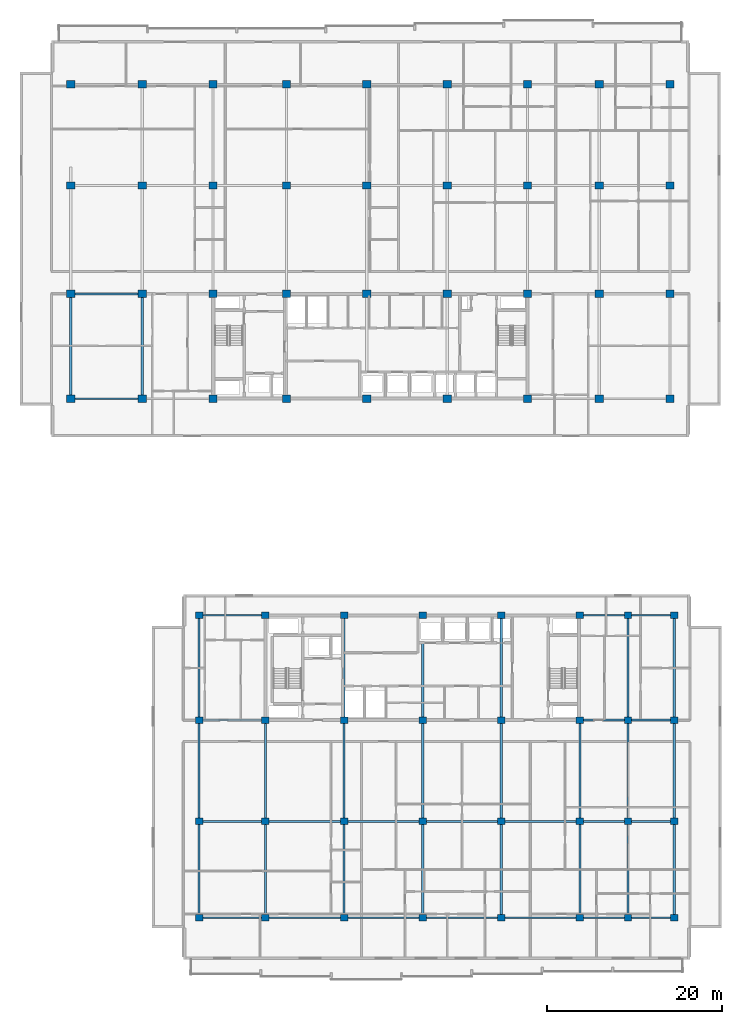
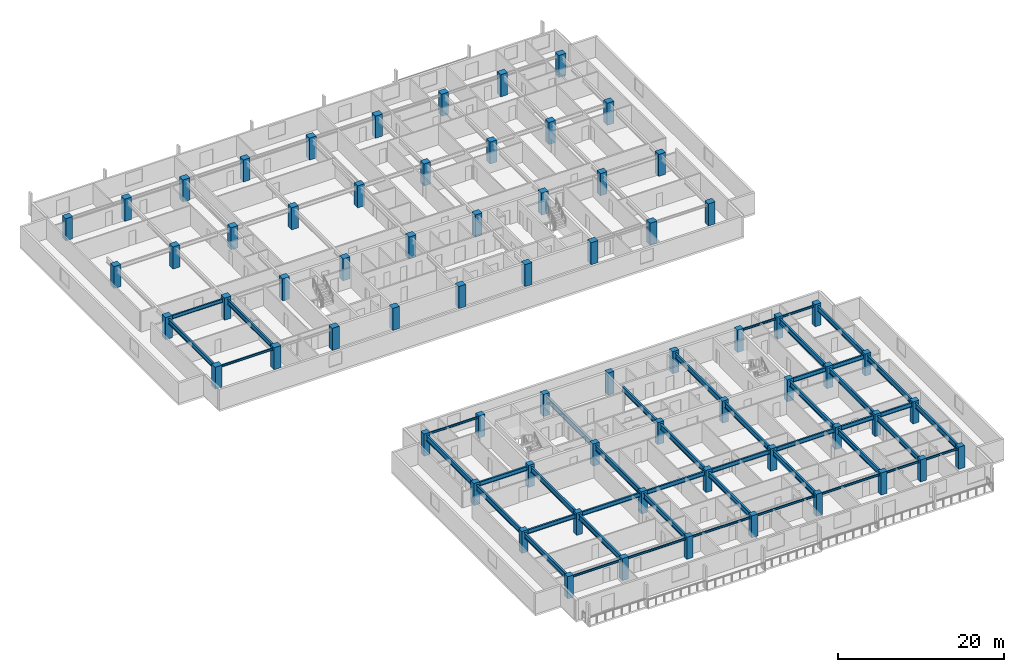
# One storey, part 1 of 21: 68 columns, 46 beams.
"""IFC4 building model written with IfcOpenShell, lengths in metres."""

from ifc_helpers import new_model, si_unit, direction, frame, origin, origin_2d, place, context, subcontext, project, spatial, rectangle, i_section, extrude, material, material_profile, profile_set, type_object, element, save


model = new_model("IFC4")

# Units and contexts
model_context = context("Model", 3, precision=1e-05, world=origin(), true_north=direction((0.0, 1.0)))
body_context = subcontext(model_context, "Body", "Model", "MODEL_VIEW")
ifc_project = project(units=[si_unit("LENGTHUNIT", "METRE"), si_unit("AREAUNIT", "SQUARE_METRE"), si_unit("VOLUMEUNIT", "CUBIC_METRE"), si_unit("PLANEANGLEUNIT", "RADIAN"), si_unit("MASSUNIT", "GRAM", prefix="KILO")], contexts=[model_context])

# Site, building, storey
site_placement = place(None, origin())
site = spatial("IfcSite", under=ifc_project, at=site_placement, CompositionType="ELEMENT")
building_placement = place(site_placement, origin())
building = spatial("IfcBuilding", under=site, at=building_placement, Name="Korimba Cascade Residences", CompositionType="ELEMENT")
storey_placement = place(building_placement, frame((0.0, 0.0, 119.800048828125)))
storey = spatial("IfcBuildingStorey", under=building, at=storey_placement, Name="L34", CompositionType="ELEMENT", Elevation=119.800048828125)

# Columns
ifc_material_1 = material(Name="Concrete C65/80", Category="concrete")
ifc_material_profile_1 = material_profile(ifc_material_1, rectangle(XDim=0.85009765625, YDim=0.75, at=origin_2d()), Name="Concrete C65/80")
ifc_profile_set_1 = profile_set([ifc_material_profile_1], Name="Concrete C65/80")
column_type_1 = type_object("IfcColumnType", Name="COL-RC-850", PredefinedType="COLUMN", material=ifc_profile_set_1)
for number, where, z_axis, x_axis, name in (
    (1, (74.5, -4.199951171875, 0.0), (0.0, 0.0, 1.0), (1.0, 0.0, 0.0), "L34 Tower 2 Column 1.1"),
    (2, (74.5, 6.800048828125, 0.0), (0.0, 0.0, 1.0), (1.0, 0.0, 0.0), "L34 Tower 2 Column 1.2"),
    (3, (74.5, 18.39990234375, 0.0), (0.0, 0.0, 1.0), (1.0, 0.0, 0.0), "L34 Tower 2 Column 1.3"),
    (4, (74.5, 30.39990234375, 0.0), (0.0, 0.0, 1.0), (1.0, 0.0, 0.0), "L34 Tower 2 Column 1.4"),
    (5, (82.10009765625, -4.199951171875, 0.0), (0.0, 0.0, 1.0), (1.0, 0.0, 0.0), "L34 Tower 2 Column 2.1"),
    (6, (82.10009765625, 6.800048828125, 0.0), (0.0, 0.0, 1.0), (1.0, 0.0, 0.0), "L34 Tower 2 Column 2.2"),
    (7, (82.10009765625, 18.39990234375, 0.0), (0.0, 0.0, 1.0), (1.0, 0.0, 0.0), "L34 Tower 2 Column 2.3"),
    (8, (82.10009765625, 30.39990234375, 0.0), (0.0, 0.0, 1.0), (1.0, 0.0, 0.0), "L34 Tower 2 Column 2.4"),
    (9, (91.10009765625, -4.199951171875, 0.0), (0.0, 0.0, 1.0), (1.0, 0.0, 0.0), "L34 Tower 2 Column 3.1"),
    (10, (91.10009765625, 6.800048828125, 0.0), (0.0, 0.0, 1.0), (1.0, 0.0, 0.0), "L34 Tower 2 Column 3.2"),
    (11, (91.10009765625, 18.39990234375, 0.0), (0.0, 0.0, 1.0), (1.0, 0.0, 0.0), "L34 Tower 2 Column 3.3"),
    (12, (91.10009765625, 30.39990234375, 0.0), (0.0, 0.0, 1.0), (1.0, 0.0, 0.0), "L34 Tower 2 Column 3.4"),
    (13, (100.10009765625, -4.199951171875, 0.0), (0.0, 0.0, 1.0), (1.0, 0.0, 0.0), "L34 Tower 2 Column 4.1"),
    (14, (100.10009765625, 6.800048828125, 0.0), (0.0, 0.0, 1.0), (1.0, 0.0, 0.0), "L34 Tower 2 Column 4.2"),
    (15, (100.10009765625, 18.39990234375, 0.0), (0.0, 0.0, 1.0), (1.0, 0.0, 0.0), "L34 Tower 2 Column 4.3"),
    (16, (100.10009765625, 30.39990234375, 0.0), (0.0, 0.0, 1.0), (1.0, 0.0, 0.0), "L34 Tower 2 Column 4.4"),
    (17, (109.10009765625, -4.199951171875, 0.0), (0.0, 0.0, 1.0), (1.0, 0.0, 0.0), "L34 Tower 2 Column 5.1"),
    (18, (109.10009765625, 6.800048828125, 0.0), (0.0, 0.0, 1.0), (1.0, 0.0, 0.0), "L34 Tower 2 Column 5.2"),
    (19, (109.10009765625, 18.39990234375, 0.0), (0.0, 0.0, 1.0), (1.0, 0.0, 0.0), "L34 Tower 2 Column 5.3"),
    (20, (109.10009765625, 30.39990234375, 0.0), (0.0, 0.0, 1.0), (1.0, 0.0, 0.0), "L34 Tower 2 Column 5.4"),
    (21, (118.10009765625, -4.199951171875, 0.0), (0.0, 0.0, 1.0), (1.0, 0.0, 0.0), "L34 Tower 2 Column 6.1"),
    (22, (118.10009765625, 6.800048828125, 0.0), (0.0, 0.0, 1.0), (1.0, 0.0, 0.0), "L34 Tower 2 Column 6.2"),
    (23, (118.10009765625, 18.39990234375, 0.0), (0.0, 0.0, 1.0), (1.0, 0.0, 0.0), "L34 Tower 2 Column 6.3"),
    (24, (118.10009765625, 30.39990234375, 0.0), (0.0, 0.0, 1.0), (1.0, 0.0, 0.0), "L34 Tower 2 Column 6.4"),
    (25, (123.60009765625, -4.199951171875, 0.0), (0.0, 0.0, 1.0), (1.0, 0.0, 0.0), "L34 Tower 2 Column 7.1"),
    (26, (123.60009765625, 6.800048828125, 0.0), (0.0, 0.0, 1.0), (1.0, 0.0, 0.0), "L34 Tower 2 Column 7.2"),
    (27, (123.60009765625, 18.39990234375, 0.0), (0.0, 0.0, 1.0), (1.0, 0.0, 0.0), "L34 Tower 2 Column 7.3"),
    (28, (123.60009765625, 30.39990234375, 0.0), (0.0, 0.0, 1.0), (1.0, 0.0, 0.0), "L34 Tower 2 Column 7.4"),
    (29, (128.89990234375, -4.199951171875, 0.0), (0.0, 0.0, 1.0), (1.0, 0.0, 0.0), "L34 Tower 2 Column 8.1"),
    (30, (128.89990234375, 6.800048828125, 0.0), (0.0, 0.0, 1.0), (1.0, 0.0, 0.0), "L34 Tower 2 Column 8.2"),
    (31, (128.89990234375, 18.39990234375, 0.0), (0.0, 0.0, 1.0), (1.0, 0.0, 0.0), "L34 Tower 2 Column 8.3"),
    (32, (128.89990234375, 30.39990234375, 0.0), (0.0, 0.0, 1.0), (1.0, 0.0, 0.0), "L34 Tower 2 Column 8.4"),
):
    element("IfcColumn", number, at=place(storey_placement, frame(where, z_axis=z_axis, x_axis=x_axis)), inside=storey, type_object=column_type_1, Name=name, PredefinedType="COLUMN", context=body_context, shape_type="SweptSolid", body=[
        extrude(rectangle(XDim=0.85009765625, YDim=0.75, at=origin_2d()), origin(), (0.0, 0.0, 1.0), 3.25),
    ])
ifc_material_profile_2 = material_profile(ifc_material_1, rectangle(XDim=0.949951171875, YDim=0.85009765625, at=origin_2d()), Name="Concrete C65/80")
ifc_profile_set_2 = profile_set([ifc_material_profile_2], Name="Concrete C65/80")
column_type_2 = type_object("IfcColumnType", Name="COL-RC-950", PredefinedType="COLUMN", material=ifc_profile_set_2)
for number, where, z_axis, x_axis, name in (
    (33, (59.800048828125, 55.199951171875, 0.0), (0.0, 0.0, 1.0), (1.0, 0.0, 0.0), "L34 Tower 1 Column 1.1"),
    (34, (59.800048828125, 67.199951171875, 0.0), (0.0, 0.0, 1.0), (1.0, 0.0, 0.0), "L34 Tower 1 Column 1.2"),
    (35, (59.800048828125, 79.60009765625, 0.0), (0.0, 0.0, 1.0), (1.0, 0.0, 0.0), "L34 Tower 1 Column 1.3"),
    (36, (59.800048828125, 91.199951171875, 0.0), (0.0, 0.0, 1.0), (1.0, 0.0, 0.0), "L34 Tower 1 Column 1.4"),
    (37, (68.0, 55.199951171875, 0.0), (0.0, 0.0, 1.0), (1.0, 0.0, 0.0), "L34 Tower 1 Column 2.1"),
    (38, (68.0, 67.199951171875, 0.0), (0.0, 0.0, 1.0), (1.0, 0.0, 0.0), "L34 Tower 1 Column 2.2"),
    (39, (68.0, 79.60009765625, 0.0), (0.0, 0.0, 1.0), (1.0, 0.0, 0.0), "L34 Tower 1 Column 2.3"),
    (40, (68.0, 91.199951171875, 0.0), (0.0, 0.0, 1.0), (1.0, 0.0, 0.0), "L34 Tower 1 Column 2.4"),
    (41, (76.10009765625, 55.199951171875, 0.0), (0.0, 0.0, 1.0), (1.0, 0.0, 0.0), "L34 Tower 1 Column 3.1"),
    (42, (76.10009765625, 67.199951171875, 0.0), (0.0, 0.0, 1.0), (1.0, 0.0, 0.0), "L34 Tower 1 Column 3.2"),
    (43, (76.10009765625, 79.60009765625, 0.0), (0.0, 0.0, 1.0), (1.0, 0.0, 0.0), "L34 Tower 1 Column 3.3"),
    (44, (76.10009765625, 91.199951171875, 0.0), (0.0, 0.0, 1.0), (1.0, 0.0, 0.0), "L34 Tower 1 Column 3.4"),
    (45, (84.5, 55.199951171875, 0.0), (0.0, 0.0, 1.0), (1.0, 0.0, 0.0), "L34 Tower 1 Column 4.1"),
    (46, (84.5, 67.199951171875, 0.0), (0.0, 0.0, 1.0), (1.0, 0.0, 0.0), "L34 Tower 1 Column 4.2"),
    (47, (84.5, 79.60009765625, 0.0), (0.0, 0.0, 1.0), (1.0, 0.0, 0.0), "L34 Tower 1 Column 4.3"),
    (48, (84.5, 91.199951171875, 0.0), (0.0, 0.0, 1.0), (1.0, 0.0, 0.0), "L34 Tower 1 Column 4.4"),
    (49, (93.699951171875, 55.199951171875, 0.0), (0.0, 0.0, 1.0), (1.0, 0.0, 0.0), "L34 Tower 1 Column 5.1"),
    (50, (93.699951171875, 67.199951171875, 0.0), (0.0, 0.0, 1.0), (1.0, 0.0, 0.0), "L34 Tower 1 Column 5.2"),
    (51, (93.699951171875, 79.60009765625, 0.0), (0.0, 0.0, 1.0), (1.0, 0.0, 0.0), "L34 Tower 1 Column 5.3"),
    (52, (93.699951171875, 91.199951171875, 0.0), (0.0, 0.0, 1.0), (1.0, 0.0, 0.0), "L34 Tower 1 Column 5.4"),
    (53, (102.89990234375, 55.199951171875, 0.0), (0.0, 0.0, 1.0), (1.0, 0.0, 0.0), "L34 Tower 1 Column 6.1"),
    (54, (102.89990234375, 67.199951171875, 0.0), (0.0, 0.0, 1.0), (1.0, 0.0, 0.0), "L34 Tower 1 Column 6.2"),
    (55, (102.89990234375, 79.60009765625, 0.0), (0.0, 0.0, 1.0), (1.0, 0.0, 0.0), "L34 Tower 1 Column 6.3"),
    (56, (102.89990234375, 91.199951171875, 0.0), (0.0, 0.0, 1.0), (1.0, 0.0, 0.0), "L34 Tower 1 Column 6.4"),
    (57, (112.10009765625, 55.199951171875, 0.0), (0.0, 0.0, 1.0), (1.0, 0.0, 0.0), "L34 Tower 1 Column 7.1"),
    (58, (112.10009765625, 67.199951171875, 0.0), (0.0, 0.0, 1.0), (1.0, 0.0, 0.0), "L34 Tower 1 Column 7.2"),
    (59, (112.10009765625, 79.60009765625, 0.0), (0.0, 0.0, 1.0), (1.0, 0.0, 0.0), "L34 Tower 1 Column 7.3"),
    (60, (112.10009765625, 91.199951171875, 0.0), (0.0, 0.0, 1.0), (1.0, 0.0, 0.0), "L34 Tower 1 Column 7.4"),
    (61, (120.300048828125, 55.199951171875, 0.0), (0.0, 0.0, 1.0), (1.0, 0.0, 0.0), "L34 Tower 1 Column 8.1"),
    (62, (120.300048828125, 67.199951171875, 0.0), (0.0, 0.0, 1.0), (1.0, 0.0, 0.0), "L34 Tower 1 Column 8.2"),
    (63, (120.300048828125, 79.60009765625, 0.0), (0.0, 0.0, 1.0), (1.0, 0.0, 0.0), "L34 Tower 1 Column 8.3"),
    (64, (120.300048828125, 91.199951171875, 0.0), (0.0, 0.0, 1.0), (1.0, 0.0, 0.0), "L34 Tower 1 Column 8.4"),
    (65, (128.39990234375, 55.199951171875, 0.0), (0.0, 0.0, 1.0), (1.0, 0.0, 0.0), "L34 Tower 1 Column 9.1"),
    (66, (128.39990234375, 67.199951171875, 0.0), (0.0, 0.0, 1.0), (1.0, 0.0, 0.0), "L34 Tower 1 Column 9.2"),
    (67, (128.39990234375, 79.60009765625, 0.0), (0.0, 0.0, 1.0), (1.0, 0.0, 0.0), "L34 Tower 1 Column 9.3"),
    (68, (128.39990234375, 91.199951171875, 0.0), (0.0, 0.0, 1.0), (1.0, 0.0, 0.0), "L34 Tower 1 Column 9.4"),
):
    element("IfcColumn", number, at=place(storey_placement, frame(where, z_axis=z_axis, x_axis=x_axis)), inside=storey, type_object=column_type_2, Name=name, PredefinedType="COLUMN", context=body_context, shape_type="SweptSolid", body=[
        extrude(rectangle(XDim=0.949951171875, YDim=0.85009765625, at=origin_2d()), origin(), (0.0, 0.0, 1.0), 3.25),
    ])

# Beams
ifc_material_2 = material(Name="Steel S355", Category="steel")
ifc_material_profile_3 = material_profile(ifc_material_2, i_section(OverallWidth=0.165771484375, OverallDepth=0.306640625, WebThickness=0.006591796875, FlangeThickness=0.01171875, FilletRadius=0.0087890625, at=origin_2d()), Name="Steel S355")
ifc_profile_set_3 = profile_set([ifc_material_profile_3], Name="Steel S355")
beam_type_1 = type_object("IfcBeamType", Name="BM-STL-UB305", PredefinedType="SPANDREL", material=ifc_profile_set_3)
beam_1_placement = place(storey_placement, frame((60.27490234375, 55.199951171875, 2.816650390625), z_axis=(1.0, 0.0, 0.0), x_axis=(0.0, 1.0, 0.0)))
element("IfcBeam", 69, at=beam_1_placement, inside=storey, type_object=beam_type_1, Name="L34 T1 E-W Girder Y1 Bay 1", PredefinedType="SPANDREL", context=body_context, shape_type="SweptSolid", body=[
    extrude(i_section(OverallWidth=0.165771484375, OverallDepth=0.306640625, WebThickness=0.006591796875, FlangeThickness=0.01171875, FilletRadius=0.0087890625, at=origin_2d()), origin(), (0.0, 0.0, 1.0), 7.25),
])
beam_2_placement = place(storey_placement, frame((74.925048828125, -4.199951171875, 2.816650390625), z_axis=(1.0, 0.0, 0.0), x_axis=(0.0, 1.0, 0.0)))
element("IfcBeam", 70, at=beam_2_placement, inside=storey, type_object=beam_type_1, Name="L34 T2 E-W Girder Y1 Bay 1", PredefinedType="SPANDREL", context=body_context, shape_type="SweptSolid", body=[
    extrude(i_section(OverallWidth=0.165771484375, OverallDepth=0.306640625, WebThickness=0.006591796875, FlangeThickness=0.01171875, FilletRadius=0.0087890625, at=origin_2d()), origin(), (0.0, 0.0, 1.0), 6.75),
])
for number, where, z_axis, x_axis, name in (
    (71, (82.52490234375, -4.199951171875, 2.816650390625), (1.0, 0.0, 0.0), (0.0, 1.0, 0.0), "L34 T2 E-W Girder Y1 Bay 2"),
    (72, (91.52490234375, -4.199951171875, 2.816650390625), (1.0, 0.0, 0.0), (0.0, 1.0, 0.0), "L34 T2 E-W Girder Y1 Bay 3"),
    (73, (100.52490234375, -4.199951171875, 2.816650390625), (1.0, 0.0, 0.0), (0.0, 1.0, 0.0), "L34 T2 E-W Girder Y1 Bay 4"),
    (74, (109.52490234375, -4.199951171875, 2.816650390625), (1.0, 0.0, 0.0), (0.0, 1.0, 0.0), "L34 T2 E-W Girder Y1 Bay 5"),
):
    element("IfcBeam", number, at=place(storey_placement, frame(where, z_axis=z_axis, x_axis=x_axis)), inside=storey, type_object=beam_type_1, Name=name, PredefinedType="SPANDREL", context=body_context, shape_type="SweptSolid", body=[
        extrude(i_section(OverallWidth=0.165771484375, OverallDepth=0.306640625, WebThickness=0.006591796875, FlangeThickness=0.01171875, FilletRadius=0.0087890625, at=origin_2d()), origin(), (0.0, 0.0, 1.0), 8.150146484375),
    ])
beam_3_placement = place(storey_placement, frame((118.52490234375, -4.199951171875, 2.816650390625), z_axis=(1.0, 0.0, 0.0), x_axis=(0.0, 1.0, 0.0)))
element("IfcBeam", 75, at=beam_3_placement, inside=storey, type_object=beam_type_1, Name="L34 T2 E-W Girder Y1 Bay 6", PredefinedType="SPANDREL", context=body_context, shape_type="SweptSolid", body=[
    extrude(i_section(OverallWidth=0.165771484375, OverallDepth=0.306640625, WebThickness=0.006591796875, FlangeThickness=0.01171875, FilletRadius=0.0087890625, at=origin_2d()), origin(), (0.0, 0.0, 1.0), 4.650146484375),
])
beam_4_placement = place(storey_placement, frame((124.02490234375, -4.199951171875, 2.816650390625), z_axis=(1.0, 0.0, 0.0), x_axis=(0.0, 1.0, 0.0)))
element("IfcBeam", 76, at=beam_4_placement, inside=storey, type_object=beam_type_1, Name="L34 T2 E-W Girder Y1 Bay 7", PredefinedType="SPANDREL", context=body_context, shape_type="SweptSolid", body=[
    extrude(i_section(OverallWidth=0.165771484375, OverallDepth=0.306640625, WebThickness=0.006591796875, FlangeThickness=0.01171875, FilletRadius=0.0087890625, at=origin_2d()), origin(), (0.0, 0.0, 1.0), 4.4501953125),
])
beam_5_placement = place(storey_placement, frame((74.925048828125, 30.39990234375, 2.816650390625), z_axis=(1.0, 0.0, 0.0), x_axis=(0.0, 1.0, 0.0)))
element("IfcBeam", 77, at=beam_5_placement, inside=storey, type_object=beam_type_1, Name="L34 T2 E-W Girder Y4 Bay 1", PredefinedType="SPANDREL", context=body_context, shape_type="SweptSolid", body=[
    extrude(i_section(OverallWidth=0.165771484375, OverallDepth=0.306640625, WebThickness=0.006591796875, FlangeThickness=0.01171875, FilletRadius=0.0087890625, at=origin_2d()), origin(), (0.0, 0.0, 1.0), 6.75),
])
beam_6_placement = place(storey_placement, frame((118.52490234375, 30.39990234375, 2.816650390625), z_axis=(1.0, 0.0, 0.0), x_axis=(0.0, 1.0, 0.0)))
element("IfcBeam", 78, at=beam_6_placement, inside=storey, type_object=beam_type_1, Name="L34 T2 E-W Girder Y4 Bay 6", PredefinedType="SPANDREL", context=body_context, shape_type="SweptSolid", body=[
    extrude(i_section(OverallWidth=0.165771484375, OverallDepth=0.306640625, WebThickness=0.006591796875, FlangeThickness=0.01171875, FilletRadius=0.0087890625, at=origin_2d()), origin(), (0.0, 0.0, 1.0), 4.650146484375),
])
beam_7_placement = place(storey_placement, frame((124.02490234375, 30.39990234375, 2.816650390625), z_axis=(1.0, 0.0, 0.0), x_axis=(0.0, 1.0, 0.0)))
element("IfcBeam", 79, at=beam_7_placement, inside=storey, type_object=beam_type_1, Name="L34 T2 E-W Girder Y4 Bay 7", PredefinedType="SPANDREL", context=body_context, shape_type="SweptSolid", body=[
    extrude(i_section(OverallWidth=0.165771484375, OverallDepth=0.306640625, WebThickness=0.006591796875, FlangeThickness=0.01171875, FilletRadius=0.0087890625, at=origin_2d()), origin(), (0.0, 0.0, 1.0), 4.4501953125),
])
ifc_material_profile_4 = material_profile(ifc_material_2, i_section(OverallWidth=0.2099609375, OverallDepth=0.53662109375, WebThickness=0.0107421875, FlangeThickness=0.017333984375, FilletRadius=0.0126953125, at=origin_2d()), Name="Steel S355")
ifc_profile_set_4 = profile_set([ifc_material_profile_4], Name="Steel S355")
beam_type_2 = type_object("IfcBeamType", Name="BM-STL-UB533", PredefinedType="BEAM", material=ifc_profile_set_4)
beam_8_placement = place(storey_placement, frame((60.27490234375, 67.199951171875, 2.70166015625), z_axis=(1.0, 0.0, 0.0), x_axis=(0.0, 1.0, 0.0)))
element("IfcBeam", 80, at=beam_8_placement, inside=storey, type_object=beam_type_2, Name="L34 T1 E-W Girder Y2 Bay 1", PredefinedType="BEAM", context=body_context, shape_type="SweptSolid", body=[
    extrude(i_section(OverallWidth=0.2099609375, OverallDepth=0.53662109375, WebThickness=0.0107421875, FlangeThickness=0.017333984375, FilletRadius=0.0126953125, at=origin_2d()), origin(), (0.0, 0.0, 1.0), 7.25),
])
ifc_material_profile_5 = material_profile(ifc_material_2, i_section(OverallWidth=0.22900390625, OverallDepth=0.6123046875, WebThickness=0.011962890625, FlangeThickness=0.01953125, FilletRadius=0.0126953125, at=origin_2d()), Name="Steel S355")
ifc_profile_set_5 = profile_set([ifc_material_profile_5], Name="Steel S355")
beam_type_3 = type_object("IfcBeamType", Name="BM-STL-UB610B", PredefinedType="BEAM", material=ifc_profile_set_5)
beam_9_placement = place(storey_placement, frame((74.925048828125, 6.800048828125, 2.663818359375), z_axis=(1.0, 0.0, 0.0), x_axis=(0.0, 1.0, 0.0)))
element("IfcBeam", 81, at=beam_9_placement, inside=storey, type_object=beam_type_3, Name="L34 T2 E-W Girder Y2 Bay 1", PredefinedType="BEAM", context=body_context, shape_type="SweptSolid", body=[
    extrude(i_section(OverallWidth=0.22900390625, OverallDepth=0.6123046875, WebThickness=0.011962890625, FlangeThickness=0.01953125, FilletRadius=0.0126953125, at=origin_2d()), origin(), (0.0, 0.0, 1.0), 6.75),
])
for number, where, z_axis, x_axis, name in (
    (82, (82.52490234375, 6.800048828125, 2.663818359375), (1.0, 0.0, 0.0), (0.0, 1.0, 0.0), "L34 T2 E-W Girder Y2 Bay 2"),
    (83, (91.52490234375, 6.800048828125, 2.663818359375), (1.0, 0.0, 0.0), (0.0, 1.0, 0.0), "L34 T2 E-W Girder Y2 Bay 3"),
    (84, (100.52490234375, 6.800048828125, 2.663818359375), (1.0, 0.0, 0.0), (0.0, 1.0, 0.0), "L34 T2 E-W Girder Y2 Bay 4"),
    (85, (109.52490234375, 6.800048828125, 2.663818359375), (1.0, 0.0, 0.0), (0.0, 1.0, 0.0), "L34 T2 E-W Girder Y2 Bay 5"),
):
    element("IfcBeam", number, at=place(storey_placement, frame(where, z_axis=z_axis, x_axis=x_axis)), inside=storey, type_object=beam_type_3, Name=name, PredefinedType="BEAM", context=body_context, shape_type="SweptSolid", body=[
        extrude(i_section(OverallWidth=0.22900390625, OverallDepth=0.6123046875, WebThickness=0.011962890625, FlangeThickness=0.01953125, FilletRadius=0.0126953125, at=origin_2d()), origin(), (0.0, 0.0, 1.0), 8.150146484375),
    ])
beam_10_placement = place(storey_placement, frame((118.52490234375, 6.800048828125, 2.663818359375), z_axis=(1.0, 0.0, 0.0), x_axis=(0.0, 1.0, 0.0)))
element("IfcBeam", 86, at=beam_10_placement, inside=storey, type_object=beam_type_3, Name="L34 T2 E-W Girder Y2 Bay 6", PredefinedType="BEAM", context=body_context, shape_type="SweptSolid", body=[
    extrude(i_section(OverallWidth=0.22900390625, OverallDepth=0.6123046875, WebThickness=0.011962890625, FlangeThickness=0.01953125, FilletRadius=0.0126953125, at=origin_2d()), origin(), (0.0, 0.0, 1.0), 4.650146484375),
])
beam_11_placement = place(storey_placement, frame((124.02490234375, 6.800048828125, 2.663818359375), z_axis=(1.0, 0.0, 0.0), x_axis=(0.0, 1.0, 0.0)))
element("IfcBeam", 87, at=beam_11_placement, inside=storey, type_object=beam_type_3, Name="L34 T2 E-W Girder Y2 Bay 7", PredefinedType="BEAM", context=body_context, shape_type="SweptSolid", body=[
    extrude(i_section(OverallWidth=0.22900390625, OverallDepth=0.6123046875, WebThickness=0.011962890625, FlangeThickness=0.01953125, FilletRadius=0.0126953125, at=origin_2d()), origin(), (0.0, 0.0, 1.0), 4.4501953125),
])
beam_12_placement = place(storey_placement, frame((74.925048828125, 18.39990234375, 2.663818359375), z_axis=(1.0, 0.0, 0.0), x_axis=(0.0, 1.0, 0.0)))
element("IfcBeam", 88, at=beam_12_placement, inside=storey, type_object=beam_type_3, Name="L34 T2 E-W Girder Y3 Bay 1", PredefinedType="BEAM", context=body_context, shape_type="SweptSolid", body=[
    extrude(i_section(OverallWidth=0.22900390625, OverallDepth=0.6123046875, WebThickness=0.011962890625, FlangeThickness=0.01953125, FilletRadius=0.0126953125, at=origin_2d()), origin(), (0.0, 0.0, 1.0), 6.75),
])
beam_13_placement = place(storey_placement, frame((118.52490234375, 18.39990234375, 2.663818359375), z_axis=(1.0, 0.0, 0.0), x_axis=(0.0, 1.0, 0.0)))
element("IfcBeam", 89, at=beam_13_placement, inside=storey, type_object=beam_type_3, Name="L34 T2 E-W Girder Y3 Bay 6", PredefinedType="BEAM", context=body_context, shape_type="SweptSolid", body=[
    extrude(i_section(OverallWidth=0.22900390625, OverallDepth=0.6123046875, WebThickness=0.011962890625, FlangeThickness=0.01953125, FilletRadius=0.0126953125, at=origin_2d()), origin(), (0.0, 0.0, 1.0), 4.650146484375),
])
beam_14_placement = place(storey_placement, frame((124.02490234375, 18.39990234375, 2.663818359375), z_axis=(1.0, 0.0, 0.0), x_axis=(0.0, 1.0, 0.0)))
element("IfcBeam", 90, at=beam_14_placement, inside=storey, type_object=beam_type_3, Name="L34 T2 E-W Girder Y3 Bay 7", PredefinedType="BEAM", context=body_context, shape_type="SweptSolid", body=[
    extrude(i_section(OverallWidth=0.22900390625, OverallDepth=0.6123046875, WebThickness=0.011962890625, FlangeThickness=0.01953125, FilletRadius=0.0126953125, at=origin_2d()), origin(), (0.0, 0.0, 1.0), 4.4501953125),
])
ifc_material_profile_6 = material_profile(ifc_material_2, i_section(OverallWidth=0.255859375, OverallDepth=0.69287109375, WebThickness=0.014404296875, FlangeThickness=0.023681640625, FilletRadius=0.01513671875, at=origin_2d()), Name="Steel S355")
ifc_profile_set_6 = profile_set([ifc_material_profile_6], Name="Steel S355")
beam_type_4 = type_object("IfcBeamType", Name="BM-STL-UB686", PredefinedType="BEAM", material=ifc_profile_set_6)
for number, where, z_axis, x_axis, name in (
    (91, (59.800048828125, 55.625, 2.62353515625), (0.0, 1.0, 0.0), (-1.0, 0.0, 0.0), "L34 T1 N-S Girder X1 Seg 1"),
    (92, (68.0, 55.625, 2.62353515625), (0.0, 1.0, 0.0), (-1.0, 0.0, 0.0), "L34 T1 N-S Girder X2 Seg 1"),
):
    element("IfcBeam", number, at=place(storey_placement, frame(where, z_axis=z_axis, x_axis=x_axis)), inside=storey, type_object=beam_type_4, Name=name, PredefinedType="BEAM", context=body_context, shape_type="SweptSolid", body=[
        extrude(i_section(OverallWidth=0.255859375, OverallDepth=0.69287109375, WebThickness=0.014404296875, FlangeThickness=0.023681640625, FilletRadius=0.01513671875, at=origin_2d()), origin(), (0.0, 0.0, 1.0), 11.14990234375),
    ])
ifc_material_profile_7 = material_profile(ifc_material_2, i_section(OverallWidth=0.26806640625, OverallDepth=0.769775390625, WebThickness=0.015625, FlangeThickness=0.025390625, FilletRadius=0.0166015625, at=origin_2d()), Name="Steel S355")
ifc_profile_set_7 = profile_set([ifc_material_profile_7], Name="Steel S355")
beam_type_5 = type_object("IfcBeamType", Name="BM-STL-UB762", PredefinedType="BEAM", material=ifc_profile_set_7)
beam_15_placement = place(storey_placement, frame((74.5, -3.824951171875, 2.5849609375), z_axis=(0.0, 1.0, 0.0), x_axis=(-1.0, 0.0, 0.0)))
element("IfcBeam", 93, at=beam_15_placement, inside=storey, type_object=beam_type_5, Name="L34 T2 N-S Girder X1 Seg 1", PredefinedType="BEAM", context=body_context, shape_type="SweptSolid", body=[
    extrude(i_section(OverallWidth=0.26806640625, OverallDepth=0.769775390625, WebThickness=0.015625, FlangeThickness=0.025390625, FilletRadius=0.0166015625, at=origin_2d()), origin(), (0.0, 0.0, 1.0), 10.25),
])
beam_16_placement = place(storey_placement, frame((74.5, 7.175048828125, 2.5849609375), z_axis=(0.0, 1.0, 0.0), x_axis=(-1.0, 0.0, 0.0)))
element("IfcBeam", 94, at=beam_16_placement, inside=storey, type_object=beam_type_5, Name="L34 T2 N-S Girder X1 Seg 2", PredefinedType="BEAM", context=body_context, shape_type="SweptSolid", body=[
    extrude(i_section(OverallWidth=0.26806640625, OverallDepth=0.769775390625, WebThickness=0.015625, FlangeThickness=0.025390625, FilletRadius=0.0166015625, at=origin_2d()), origin(), (0.0, 0.0, 1.0), 10.849853515625),
])
beam_17_placement = place(storey_placement, frame((74.5, 18.77490234375, 2.5849609375), z_axis=(0.0, 1.0, 0.0), x_axis=(-1.0, 0.0, 0.0)))
element("IfcBeam", 95, at=beam_17_placement, inside=storey, type_object=beam_type_5, Name="L34 T2 N-S Girder X1 Seg 3", PredefinedType="BEAM", context=body_context, shape_type="SweptSolid", body=[
    extrude(i_section(OverallWidth=0.26806640625, OverallDepth=0.769775390625, WebThickness=0.015625, FlangeThickness=0.025390625, FilletRadius=0.0166015625, at=origin_2d()), origin(), (0.0, 0.0, 1.0), 11.25),
])
beam_18_placement = place(storey_placement, frame((82.10009765625, -3.824951171875, 2.5849609375), z_axis=(0.0, 1.0, 0.0), x_axis=(-1.0, 0.0, 0.0)))
element("IfcBeam", 96, at=beam_18_placement, inside=storey, type_object=beam_type_5, Name="L34 T2 N-S Girder X2 Seg 1", PredefinedType="BEAM", context=body_context, shape_type="SweptSolid", body=[
    extrude(i_section(OverallWidth=0.26806640625, OverallDepth=0.769775390625, WebThickness=0.015625, FlangeThickness=0.025390625, FilletRadius=0.0166015625, at=origin_2d()), origin(), (0.0, 0.0, 1.0), 10.25),
])
beam_19_placement = place(storey_placement, frame((82.10009765625, 7.175048828125, 2.5849609375), z_axis=(0.0, 1.0, 0.0), x_axis=(-1.0, 0.0, 0.0)))
element("IfcBeam", 97, at=beam_19_placement, inside=storey, type_object=beam_type_5, Name="L34 T2 N-S Girder X2 Seg 2", PredefinedType="BEAM", context=body_context, shape_type="SweptSolid", body=[
    extrude(i_section(OverallWidth=0.26806640625, OverallDepth=0.769775390625, WebThickness=0.015625, FlangeThickness=0.025390625, FilletRadius=0.0166015625, at=origin_2d()), origin(), (0.0, 0.0, 1.0), 10.849853515625),
])
beam_20_placement = place(storey_placement, frame((91.10009765625, -3.824951171875, 2.5849609375), z_axis=(0.0, 1.0, 0.0), x_axis=(-1.0, 0.0, 0.0)))
element("IfcBeam", 98, at=beam_20_placement, inside=storey, type_object=beam_type_5, Name="L34 T2 N-S Girder X3 Seg 1", PredefinedType="BEAM", context=body_context, shape_type="SweptSolid", body=[
    extrude(i_section(OverallWidth=0.26806640625, OverallDepth=0.769775390625, WebThickness=0.015625, FlangeThickness=0.025390625, FilletRadius=0.0166015625, at=origin_2d()), origin(), (0.0, 0.0, 1.0), 10.25),
])
beam_21_placement = place(storey_placement, frame((91.10009765625, 7.175048828125, 2.5849609375), z_axis=(0.0, 1.0, 0.0), x_axis=(-1.0, 0.0, 0.0)))
element("IfcBeam", 99, at=beam_21_placement, inside=storey, type_object=beam_type_5, Name="L34 T2 N-S Girder X3 Seg 2", PredefinedType="BEAM", context=body_context, shape_type="SweptSolid", body=[
    extrude(i_section(OverallWidth=0.26806640625, OverallDepth=0.769775390625, WebThickness=0.015625, FlangeThickness=0.025390625, FilletRadius=0.0166015625, at=origin_2d()), origin(), (0.0, 0.0, 1.0), 10.849853515625),
])
beam_22_placement = place(storey_placement, frame((91.10009765625, 18.77490234375, 2.5849609375), z_axis=(0.0, 1.0, 0.0), x_axis=(-1.0, 0.0, 0.0)))
element("IfcBeam", 100, at=beam_22_placement, inside=storey, type_object=beam_type_5, Name="L34 T2 N-S Girder X3 Seg 3", PredefinedType="BEAM", context=body_context, shape_type="SweptSolid", body=[
    extrude(i_section(OverallWidth=0.26806640625, OverallDepth=0.769775390625, WebThickness=0.015625, FlangeThickness=0.025390625, FilletRadius=0.0166015625, at=origin_2d()), origin(), (0.0, 0.0, 1.0), 11.25),
])
beam_23_placement = place(storey_placement, frame((100.10009765625, -3.824951171875, 2.5849609375), z_axis=(0.0, 1.0, 0.0), x_axis=(-1.0, 0.0, 0.0)))
element("IfcBeam", 101, at=beam_23_placement, inside=storey, type_object=beam_type_5, Name="L34 T2 N-S Girder X4 Seg 1", PredefinedType="BEAM", context=body_context, shape_type="SweptSolid", body=[
    extrude(i_section(OverallWidth=0.26806640625, OverallDepth=0.769775390625, WebThickness=0.015625, FlangeThickness=0.025390625, FilletRadius=0.0166015625, at=origin_2d()), origin(), (0.0, 0.0, 1.0), 10.25),
])
beam_24_placement = place(storey_placement, frame((100.10009765625, 7.175048828125, 2.5849609375), z_axis=(0.0, 1.0, 0.0), x_axis=(-1.0, 0.0, 0.0)))
element("IfcBeam", 102, at=beam_24_placement, inside=storey, type_object=beam_type_5, Name="L34 T2 N-S Girder X4 Seg 2", PredefinedType="BEAM", context=body_context, shape_type="SweptSolid", body=[
    extrude(i_section(OverallWidth=0.26806640625, OverallDepth=0.769775390625, WebThickness=0.015625, FlangeThickness=0.025390625, FilletRadius=0.0166015625, at=origin_2d()), origin(), (0.0, 0.0, 1.0), 10.849853515625),
])
beam_25_placement = place(storey_placement, frame((100.10009765625, 18.77490234375, 2.5849609375), z_axis=(0.0, 1.0, 0.0), x_axis=(-1.0, 0.0, 0.0)))
element("IfcBeam", 103, at=beam_25_placement, inside=storey, type_object=beam_type_5, Name="L34 T2 N-S Girder X4 Seg 3", PredefinedType="BEAM", context=body_context, shape_type="SweptSolid", body=[
    extrude(i_section(OverallWidth=0.26806640625, OverallDepth=0.769775390625, WebThickness=0.015625, FlangeThickness=0.025390625, FilletRadius=0.0166015625, at=origin_2d()), origin(), (0.0, 0.0, 1.0), 8.565185546875),
])
beam_26_placement = place(storey_placement, frame((109.10009765625, -3.824951171875, 2.5849609375), z_axis=(0.0, 1.0, 0.0), x_axis=(-1.0, 0.0, 0.0)))
element("IfcBeam", 104, at=beam_26_placement, inside=storey, type_object=beam_type_5, Name="L34 T2 N-S Girder X5 Seg 1", PredefinedType="BEAM", context=body_context, shape_type="SweptSolid", body=[
    extrude(i_section(OverallWidth=0.26806640625, OverallDepth=0.769775390625, WebThickness=0.015625, FlangeThickness=0.025390625, FilletRadius=0.0166015625, at=origin_2d()), origin(), (0.0, 0.0, 1.0), 10.25),
])
beam_27_placement = place(storey_placement, frame((109.10009765625, 7.175048828125, 2.5849609375), z_axis=(0.0, 1.0, 0.0), x_axis=(-1.0, 0.0, 0.0)))
element("IfcBeam", 105, at=beam_27_placement, inside=storey, type_object=beam_type_5, Name="L34 T2 N-S Girder X5 Seg 2", PredefinedType="BEAM", context=body_context, shape_type="SweptSolid", body=[
    extrude(i_section(OverallWidth=0.26806640625, OverallDepth=0.769775390625, WebThickness=0.015625, FlangeThickness=0.025390625, FilletRadius=0.0166015625, at=origin_2d()), origin(), (0.0, 0.0, 1.0), 10.849853515625),
])
beam_28_placement = place(storey_placement, frame((109.10009765625, 18.77490234375, 2.5849609375), z_axis=(0.0, 1.0, 0.0), x_axis=(-1.0, 0.0, 0.0)))
element("IfcBeam", 106, at=beam_28_placement, inside=storey, type_object=beam_type_5, Name="L34 T2 N-S Girder X5 Seg 3", PredefinedType="BEAM", context=body_context, shape_type="SweptSolid", body=[
    extrude(i_section(OverallWidth=0.26806640625, OverallDepth=0.769775390625, WebThickness=0.015625, FlangeThickness=0.025390625, FilletRadius=0.0166015625, at=origin_2d()), origin(), (0.0, 0.0, 1.0), 11.25),
])
beam_29_placement = place(storey_placement, frame((118.10009765625, -3.824951171875, 2.5849609375), z_axis=(0.0, 1.0, 0.0), x_axis=(-1.0, 0.0, 0.0)))
element("IfcBeam", 107, at=beam_29_placement, inside=storey, type_object=beam_type_5, Name="L34 T2 N-S Girder X6 Seg 1", PredefinedType="BEAM", context=body_context, shape_type="SweptSolid", body=[
    extrude(i_section(OverallWidth=0.26806640625, OverallDepth=0.769775390625, WebThickness=0.015625, FlangeThickness=0.025390625, FilletRadius=0.0166015625, at=origin_2d()), origin(), (0.0, 0.0, 1.0), 10.25),
])
beam_30_placement = place(storey_placement, frame((118.10009765625, 7.175048828125, 2.5849609375), z_axis=(0.0, 1.0, 0.0), x_axis=(-1.0, 0.0, 0.0)))
element("IfcBeam", 108, at=beam_30_placement, inside=storey, type_object=beam_type_5, Name="L34 T2 N-S Girder X6 Seg 2", PredefinedType="BEAM", context=body_context, shape_type="SweptSolid", body=[
    extrude(i_section(OverallWidth=0.26806640625, OverallDepth=0.769775390625, WebThickness=0.015625, FlangeThickness=0.025390625, FilletRadius=0.0166015625, at=origin_2d()), origin(), (0.0, 0.0, 1.0), 10.849853515625),
])
beam_31_placement = place(storey_placement, frame((123.60009765625, -3.824951171875, 2.5849609375), z_axis=(0.0, 1.0, 0.0), x_axis=(-1.0, 0.0, 0.0)))
element("IfcBeam", 109, at=beam_31_placement, inside=storey, type_object=beam_type_5, Name="L34 T2 N-S Girder X7 Seg 1", PredefinedType="BEAM", context=body_context, shape_type="SweptSolid", body=[
    extrude(i_section(OverallWidth=0.26806640625, OverallDepth=0.769775390625, WebThickness=0.015625, FlangeThickness=0.025390625, FilletRadius=0.0166015625, at=origin_2d()), origin(), (0.0, 0.0, 1.0), 10.25),
])
beam_32_placement = place(storey_placement, frame((123.60009765625, 7.175048828125, 2.5849609375), z_axis=(0.0, 1.0, 0.0), x_axis=(-1.0, 0.0, 0.0)))
element("IfcBeam", 110, at=beam_32_placement, inside=storey, type_object=beam_type_5, Name="L34 T2 N-S Girder X7 Seg 2", PredefinedType="BEAM", context=body_context, shape_type="SweptSolid", body=[
    extrude(i_section(OverallWidth=0.26806640625, OverallDepth=0.769775390625, WebThickness=0.015625, FlangeThickness=0.025390625, FilletRadius=0.0166015625, at=origin_2d()), origin(), (0.0, 0.0, 1.0), 10.849853515625),
])
beam_33_placement = place(storey_placement, frame((123.60009765625, 18.77490234375, 2.5849609375), z_axis=(0.0, 1.0, 0.0), x_axis=(-1.0, 0.0, 0.0)))
element("IfcBeam", 111, at=beam_33_placement, inside=storey, type_object=beam_type_5, Name="L34 T2 N-S Girder X7 Seg 3", PredefinedType="BEAM", context=body_context, shape_type="SweptSolid", body=[
    extrude(i_section(OverallWidth=0.26806640625, OverallDepth=0.769775390625, WebThickness=0.015625, FlangeThickness=0.025390625, FilletRadius=0.0166015625, at=origin_2d()), origin(), (0.0, 0.0, 1.0), 11.25),
])
beam_34_placement = place(storey_placement, frame((128.89990234375, -3.824951171875, 2.5849609375), z_axis=(0.0, 1.0, 0.0), x_axis=(-1.0, 0.0, 0.0)))
element("IfcBeam", 112, at=beam_34_placement, inside=storey, type_object=beam_type_5, Name="L34 T2 N-S Girder X8 Seg 1", PredefinedType="BEAM", context=body_context, shape_type="SweptSolid", body=[
    extrude(i_section(OverallWidth=0.26806640625, OverallDepth=0.769775390625, WebThickness=0.015625, FlangeThickness=0.025390625, FilletRadius=0.0166015625, at=origin_2d()), origin(), (0.0, 0.0, 1.0), 10.25),
])
beam_35_placement = place(storey_placement, frame((128.89990234375, 7.175048828125, 2.5849609375), z_axis=(0.0, 1.0, 0.0), x_axis=(-1.0, 0.0, 0.0)))
element("IfcBeam", 113, at=beam_35_placement, inside=storey, type_object=beam_type_5, Name="L34 T2 N-S Girder X8 Seg 2", PredefinedType="BEAM", context=body_context, shape_type="SweptSolid", body=[
    extrude(i_section(OverallWidth=0.26806640625, OverallDepth=0.769775390625, WebThickness=0.015625, FlangeThickness=0.025390625, FilletRadius=0.0166015625, at=origin_2d()), origin(), (0.0, 0.0, 1.0), 10.849853515625),
])
beam_36_placement = place(storey_placement, frame((128.89990234375, 18.77490234375, 2.5849609375), z_axis=(0.0, 1.0, 0.0), x_axis=(-1.0, 0.0, 0.0)))
element("IfcBeam", 114, at=beam_36_placement, inside=storey, type_object=beam_type_5, Name="L34 T2 N-S Girder X8 Seg 3", PredefinedType="BEAM", context=body_context, shape_type="SweptSolid", body=[
    extrude(i_section(OverallWidth=0.26806640625, OverallDepth=0.769775390625, WebThickness=0.015625, FlangeThickness=0.025390625, FilletRadius=0.0166015625, at=origin_2d()), origin(), (0.0, 0.0, 1.0), 11.25),
])

save(model, "model.ifc")
